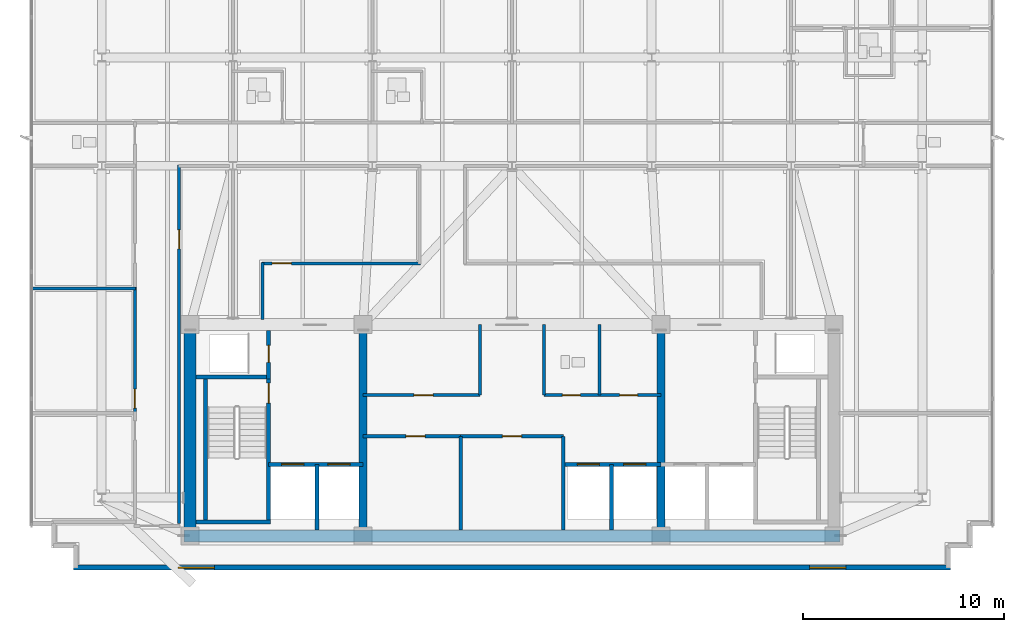
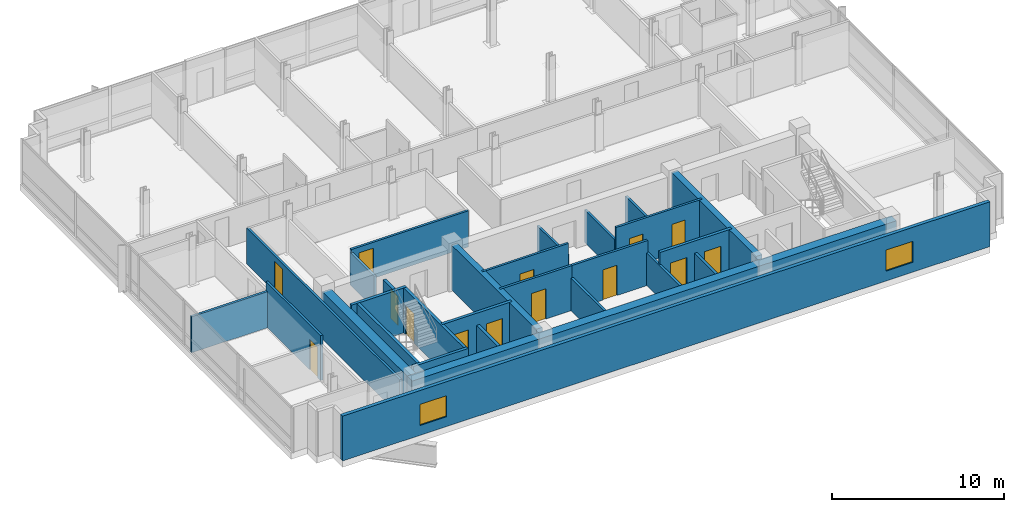
# One storey, part 8 of 16: 28 walls, 14 doors, 2 windows, 16 openings.
"""IFC4 building model written with IfcOpenShell, lengths in metres."""

from ifc_helpers import new_model, si_unit, direction, frame, frame_2d, origin, place, context, subcontext, project, spatial, rectangle, extrude, material, layer, layer_set, type_object, element, fill, save


model = new_model("IFC4")

# Units and contexts
model_context = context("Model", 3, precision=1e-05, world=origin(), true_north=direction((0.0, 1.0)))
body_context = subcontext(model_context, "Body", "Model", "MODEL_VIEW")
ifc_project = project(units=[si_unit("LENGTHUNIT", "METRE"), si_unit("AREAUNIT", "SQUARE_METRE"), si_unit("VOLUMEUNIT", "CUBIC_METRE"), si_unit("PLANEANGLEUNIT", "RADIAN"), si_unit("MASSUNIT", "GRAM", prefix="KILO")], contexts=[model_context])

# Site, building, storey
site_placement = place(None, origin())
site = spatial("IfcSite", under=ifc_project, at=site_placement, CompositionType="ELEMENT")
building_placement = place(site_placement, origin())
building = spatial("IfcBuilding", under=site, at=building_placement, Name="Solmavex Isthmus Hotel", CompositionType="ELEMENT")
storey_placement = place(building_placement, frame((0.0, 0.0, 245.39990234375)))
storey = spatial("IfcBuildingStorey", under=building, at=storey_placement, Name="L66", CompositionType="ELEMENT", Elevation=245.39990234375)

# Wall, openings, windows
ifc_material_1 = material(Name="Precast Concrete C40/50", Category="concrete")
ifc_layer_1 = layer(ifc_material_1, 0.25)
ifc_layer_set_1 = layer_set([ifc_layer_1], Name="Precast Concrete C40/50")
wall_type_1 = type_object("IfcWallType", Name="EW-TWR-250", PredefinedType="STANDARD", material=ifc_layer_set_1)
wall_1_placement = place(storey_placement, frame((-21.800048828125, -14.580078125, 0.0), z_axis=(0.0, 0.0, 1.0), x_axis=(1.0, 0.0, 0.0)))
wall_1 = element("IfcWall", 1, at=wall_1_placement, inside=storey, type_object=wall_type_1, Name="Tower Rear South Facade Wall L66", PredefinedType="STANDARD", context=body_context, shape_type="SweptSolid", body=[
    extrude(rectangle(XDim=43.60009765625, YDim=0.239990234375, at=frame_2d((21.800048828125, 0.0))), origin(), (0.0, 0.0, 1.0), 3.190185546875),
])
opening_1_placement = place(wall_1_placement, frame((5.2041015625, 0.0, 0.699951171875)))
opening_1 = element("IfcOpeningElement", 2, at=opening_1_placement, cuts=wall_1, Name="Opening WN-02", PredefinedType="OPENING", context=body_context, shape_type="SweptSolid", body=[
    extrude(rectangle(XDim=1.800048828125, YDim=1.5, at=frame_2d((0.89990234375, 0.75))), frame((0.0, 0.1298828125, 0.0), z_axis=(0.0, -1.0, 0.0), x_axis=(1.0, 0.0, 0.0)), (0.0, 0.0, 1.0), 0.260009765625),
])
opening_2_placement = place(wall_1_placement, frame((36.595947265625, 0.0, 0.699951171875)))
opening_2 = element("IfcOpeningElement", 3, at=opening_2_placement, cuts=wall_1, Name="Opening WN-02", PredefinedType="OPENING", context=body_context, shape_type="SweptSolid", body=[
    extrude(rectangle(XDim=1.800048828125, YDim=1.5, at=frame_2d((0.89990234375, 0.75))), frame((0.0, 0.1298828125, 0.0), z_axis=(0.0, -1.0, 0.0), x_axis=(1.0, 0.0, 0.0)), (0.0, 0.0, 1.0), 0.260009765625),
])
ifc_material_2 = material(Name="Clear low-E laminated glass", Category="glass")
window_type = type_object("IfcWindowType", Name="WIN-TWR-1800", PartitioningType="SINGLE_PANEL", PredefinedType="WINDOW", material=ifc_material_2)
window_1_placement = place(opening_1_placement, origin())
window_1 = element("IfcWindow", 4, at=window_1_placement, inside=storey, type_object=window_type, Name="South Facade Vision Window L66-S1", OverallHeight=1.5, OverallWidth=1.800048828125, PartitioningType="SINGLE_PANEL", PredefinedType="WINDOW", context=body_context, shape_type="SweptSolid", body=[
    extrude(rectangle(XDim=1.800048828125, YDim=1.5, at=frame_2d((0.89990234375, 0.75))), frame((0.0, 0.030029296875, 0.0), z_axis=(0.0, -1.0, 0.0), x_axis=(1.0, 0.0, 0.0)), (0.0, 0.0, 1.0), 0.06005859375),
])
fill(opening_1, window_1)
window_2_placement = place(opening_2_placement, origin())
window_2 = element("IfcWindow", 5, at=window_2_placement, inside=storey, type_object=window_type, Name="South Facade Vision Window L66-S2", OverallHeight=1.5, OverallWidth=1.800048828125, PartitioningType="SINGLE_PANEL", PredefinedType="WINDOW", context=body_context, shape_type="SweptSolid", body=[
    extrude(rectangle(XDim=1.800048828125, YDim=1.5, at=frame_2d((0.89990234375, 0.75))), frame((0.0, 0.030029296875, 0.0), z_axis=(0.0, -1.0, 0.0), x_axis=(1.0, 0.0, 0.0)), (0.0, 0.0, 1.0), 0.06005859375),
])
fill(opening_2, window_2)

# Wall, opening, door
ifc_material_3 = material(Name="Gypsum plasterboard lining", Category="gypsum")
ifc_layer_2 = layer(ifc_material_3, 0.159912109375)
ifc_layer_set_2 = layer_set([ifc_layer_2], Name="Gypsum plasterboard lining")
wall_type_2 = type_object("IfcWallType", Name="IW-COMP-160", PredefinedType="PARTITIONING", material=ifc_layer_set_2)
wall_2_placement = place(storey_placement, frame((-7.39990234375, -8.050048828125, 0.0), z_axis=(0.0, 0.0, 1.0), x_axis=(1.0, 0.0, 0.0)))
wall_2 = element("IfcWall", 6, at=wall_2_placement, inside=storey, type_object=wall_type_2, Name="Interior Partition Wall W-L66-REC-PLL-N", PredefinedType="PARTITIONING", context=body_context, shape_type="SweptSolid", body=[
    extrude(rectangle(XDim=4.849853515625, YDim=0.159912109375, at=frame_2d((2.4248046875, 0.0))), origin(), (0.0, 0.0, 1.0), 3.190185546875),
])
opening_3_placement = place(wall_2_placement, frame((2.125, 0.0, 0.0)))
opening_3 = element("IfcOpeningElement", 7, at=opening_3_placement, cuts=wall_2, Name="Opening ID-C095", PredefinedType="OPENING", context=body_context, shape_type="SweptSolid", body=[
    extrude(rectangle(XDim=0.949951171875, YDim=2.14990234375, at=frame_2d((0.47509765625, 1.074951171875))), frame((0.0, 0.08984375, 0.0), z_axis=(0.0, -1.0, 0.0), x_axis=(1.0, 0.0, 0.0)), (0.0, 0.0, 1.0), 0.179931640625),
])
ifc_material_4 = material(Name="Hardwood timber", Category="wood")
door_type_1 = type_object("IfcDoorType", Name="IDR-FD60-0950", OperationType="NOTDEFINED", PredefinedType="DOOR", material=ifc_material_4)
door_1_placement = place(opening_3_placement, origin())
door_1 = element("IfcDoor", 8, at=door_1_placement, inside=storey, type_object=door_type_1, Name="Linen Reserve Door L66", OperationType="SINGLE_SWING_LEFT", OverallHeight=2.14990234375, OverallWidth=0.949951171875, PredefinedType="DOOR", context=body_context, shape_type="SweptSolid", body=[
    extrude(rectangle(XDim=0.949951171875, YDim=2.14990234375, at=frame_2d((0.47509765625, 1.074951171875))), frame((0.0, 0.02490234375, 0.0), z_axis=(0.0, -1.0, 0.0), x_axis=(1.0, 0.0, 0.0)), (0.0, 0.0, 1.0), 0.050048828125),
])
fill(opening_3, door_1)

# Wall
wall_3_placement = place(storey_placement, frame((-2.550048828125, -12.699951171875, 0.0), z_axis=(0.0, 0.0, 1.0), x_axis=(0.0, 1.0, 0.0)))
element("IfcWall", 9, at=wall_3_placement, inside=storey, type_object=wall_type_2, Name="Interior Partition Wall W-L66-REC-PLL-E", PredefinedType="PARTITIONING", context=body_context, shape_type="SweptSolid", body=[
    extrude(rectangle(XDim=4.64990234375, YDim=0.159912109375, at=frame_2d((2.324951171875, 0.0))), origin(), (0.0, 0.0, 1.0), 2.3251953125),
])

# Wall, opening, door
wall_4_placement = place(storey_placement, frame((-2.550048828125, -8.050048828125, 0.0), z_axis=(0.0, 0.0, 1.0), x_axis=(1.0, 0.0, 0.0)))
wall_4 = element("IfcWall", 10, at=wall_4_placement, inside=storey, type_object=wall_type_2, Name="Interior Partition Wall W-L66-REC-PLM-N", PredefinedType="PARTITIONING", context=body_context, shape_type="SweptSolid", body=[
    extrude(rectangle(XDim=5.10009765625, YDim=0.159912109375, at=frame_2d((2.550048828125, 0.0))), origin(), (0.0, 0.0, 1.0), 3.190185546875),
])
opening_4_placement = place(wall_4_placement, frame((2.074951171875, 0.0, 0.0)))
opening_4 = element("IfcOpeningElement", 11, at=opening_4_placement, cuts=wall_4, Name="Opening ID-C095", PredefinedType="OPENING", context=body_context, shape_type="SweptSolid", body=[
    extrude(rectangle(XDim=0.949951171875, YDim=2.14990234375, at=frame_2d((0.47509765625, 1.074951171875))), frame((0.0, 0.08984375, 0.0), z_axis=(0.0, -1.0, 0.0), x_axis=(1.0, 0.0, 0.0)), (0.0, 0.0, 1.0), 0.179931640625),
])
door_2_placement = place(opening_4_placement, origin())
door_2 = element("IfcDoor", 12, at=door_2_placement, inside=storey, type_object=door_type_1, Name="Butler Store Door L66", OperationType="SINGLE_SWING_RIGHT", OverallHeight=2.14990234375, OverallWidth=0.949951171875, PredefinedType="DOOR", context=body_context, shape_type="SweptSolid", body=[
    extrude(rectangle(XDim=0.949951171875, YDim=2.14990234375, at=frame_2d((0.47509765625, 1.074951171875))), frame((0.0, 0.02490234375, 0.0), z_axis=(0.0, -1.0, 0.0), x_axis=(1.0, 0.0, 0.0)), (0.0, 0.0, 1.0), 0.050048828125),
])
fill(opening_4, door_2)

# Walls
wall_5_placement = place(storey_placement, frame((2.550048828125, -12.699951171875, 0.0), z_axis=(0.0, 0.0, 1.0), x_axis=(0.0, 1.0, 0.0)))
element("IfcWall", 13, at=wall_5_placement, inside=storey, type_object=wall_type_2, Name="Interior Partition Wall W-L66-REC-PLM-E", PredefinedType="PARTITIONING", context=body_context, shape_type="SweptSolid", body=[
    extrude(rectangle(XDim=4.64990234375, YDim=0.159912109375, at=frame_2d((2.324951171875, 0.0))), origin(), (0.0, 0.0, 1.0), 2.3251953125),
])
wall_6_placement = place(storey_placement, frame((-18.7099609375, -0.699951171875, 0.0), z_axis=(0.0, 0.0, 1.0), x_axis=(-1.0, 0.0, 0.0)))
element("IfcWall", 14, at=wall_6_placement, inside=storey, type_object=wall_type_2, Name="Interior Partition Wall W-L66-P064", PredefinedType="PARTITIONING", context=body_context, shape_type="SweptSolid", body=[
    extrude(rectangle(XDim=5.2099609375, YDim=0.159912109375, at=frame_2d((2.60498046875, 0.0))), origin(), (0.0, 0.0, 1.0), 2.5576171875),
])

# Wall, opening, door
ifc_layer_3 = layer(ifc_material_3, 0.14990234375)
ifc_layer_set_3 = layer_set([ifc_layer_3], Name="Gypsum plasterboard lining")
wall_type_3 = type_object("IfcWallType", Name="IW-CORR-150", PredefinedType="PARTITIONING", material=ifc_layer_set_3)
wall_7_placement = place(storey_placement, frame((-7.39990234375, -6.0, 0.0), z_axis=(0.0, 0.0, 1.0), x_axis=(1.0, 0.0, 0.0)))
wall_7 = element("IfcWall", 15, at=wall_7_placement, inside=storey, type_object=wall_type_3, Name="Interior Partition Wall W-L66-BOH-WS", PredefinedType="PARTITIONING", context=body_context, shape_type="SweptSolid", body=[
    extrude(rectangle(XDim=5.7998046875, YDim=0.14990234375, at=frame_2d((2.89990234375, 0.0))), origin(), (0.0, 0.0, 1.0), 3.190185546875),
])
opening_5_placement = place(wall_7_placement, frame((2.52490234375, 0.0, 0.0)))
opening_5 = element("IfcOpeningElement", 16, at=opening_5_placement, cuts=wall_7, Name="Opening ID-C095", PredefinedType="OPENING", context=body_context, shape_type="SweptSolid", body=[
    extrude(rectangle(XDim=0.949951171875, YDim=2.14990234375, at=frame_2d((0.47509765625, 1.074951171875))), frame((0.0, 0.0849609375, 0.0), z_axis=(0.0, -1.0, 0.0), x_axis=(1.0, 0.0, 0.0)), (0.0, 0.0, 1.0), 0.169921875),
])
door_3_placement = place(opening_5_placement, frame((0.949951171875, 0.0, 0.0), z_axis=(0.0, 0.0, 1.0), x_axis=(-1.0, 0.0, 0.0)))
door_3 = element("IfcDoor", 17, at=door_3_placement, inside=storey, type_object=door_type_1, Name="Housekeeping Room Door L66", OperationType="SINGLE_SWING_LEFT", OverallHeight=2.14990234375, OverallWidth=0.949951171875, PredefinedType="DOOR", context=body_context, shape_type="SweptSolid", body=[
    extrude(rectangle(XDim=0.949951171875, YDim=2.14990234375, at=frame_2d((0.47509765625, 1.074951171875))), frame((0.0, 0.02490234375, 0.0), z_axis=(0.0, -1.0, 0.0), x_axis=(1.0, 0.0, 0.0)), (0.0, 0.0, 1.0), 0.050048828125),
])
fill(opening_5, door_3)

# Wall
wall_8_placement = place(storey_placement, frame((-1.60009765625, -6.0, 0.0), z_axis=(0.0, 0.0, 1.0), x_axis=(0.0, 1.0, 0.0)))
element("IfcWall", 18, at=wall_8_placement, inside=storey, type_object=wall_type_3, Name="Interior Partition Wall W-L66-BOH-WE", PredefinedType="PARTITIONING", context=body_context, shape_type="SweptSolid", body=[
    extrude(rectangle(XDim=3.5, YDim=0.14990234375, at=frame_2d((1.75, 0.0))), origin(), (0.0, 0.0, 1.0), 2.3251953125),
])

# Wall, openings, doors
wall_9_placement = place(storey_placement, frame((1.60009765625, -6.0, 0.0), z_axis=(0.0, 0.0, 1.0), x_axis=(1.0, 0.0, 0.0)))
wall_9 = element("IfcWall", 19, at=wall_9_placement, inside=storey, type_object=wall_type_3, Name="Interior Partition Wall W-L66-BOH-ES", PredefinedType="PARTITIONING", context=body_context, shape_type="SweptSolid", body=[
    extrude(rectangle(XDim=5.7998046875, YDim=0.14990234375, at=frame_2d((2.89990234375, 0.0))), origin(), (0.0, 0.0, 1.0), 3.190185546875),
])
opening_6_placement = place(wall_9_placement, frame((0.89990234375, 0.0, 0.0)))
opening_6 = element("IfcOpeningElement", 20, at=opening_6_placement, cuts=wall_9, Name="Opening ID-C090", PredefinedType="OPENING", context=body_context, shape_type="SweptSolid", body=[
    extrude(rectangle(XDim=0.89990234375, YDim=2.10009765625, at=frame_2d((0.449951171875, 1.050048828125))), frame((0.0, 0.0849609375, 0.0), z_axis=(0.0, -1.0, 0.0), x_axis=(1.0, 0.0, 0.0)), (0.0, 0.0, 1.0), 0.169921875),
])
opening_7_placement = place(wall_9_placement, frame((3.75, 0.0, 0.0)))
opening_7 = element("IfcOpeningElement", 21, at=opening_7_placement, cuts=wall_9, Name="Opening ID-C090", PredefinedType="OPENING", context=body_context, shape_type="SweptSolid", body=[
    extrude(rectangle(XDim=0.89990234375, YDim=2.10009765625, at=frame_2d((0.449951171875, 1.050048828125))), frame((0.0, 0.0849609375, 0.0), z_axis=(0.0, -1.0, 0.0), x_axis=(1.0, 0.0, 0.0)), (0.0, 0.0, 1.0), 0.169921875),
])
door_type_2 = type_object("IfcDoorType", Name="IDR-FD60-0900", OperationType="NOTDEFINED", PredefinedType="DOOR", material=ifc_material_4)
door_4_placement = place(opening_6_placement, frame((0.89990234375, 0.0, 0.0), z_axis=(0.0, 0.0, 1.0), x_axis=(-1.0, 0.0, 0.0)))
door_4 = element("IfcDoor", 22, at=door_4_placement, inside=storey, type_object=door_type_2, Name="Staff WC Door L66", OperationType="SINGLE_SWING_RIGHT", OverallHeight=2.10009765625, OverallWidth=0.89990234375, PredefinedType="DOOR", context=body_context, shape_type="SweptSolid", body=[
    extrude(rectangle(XDim=0.89990234375, YDim=2.10009765625, at=frame_2d((0.449951171875, 1.050048828125))), frame((0.0, 0.02490234375, 0.0), z_axis=(0.0, -1.0, 0.0), x_axis=(1.0, 0.0, 0.0)), (0.0, 0.0, 1.0), 0.050048828125),
])
fill(opening_6, door_4)
door_5_placement = place(opening_7_placement, frame((0.89990234375, 0.0, 0.0), z_axis=(0.0, 0.0, 1.0), x_axis=(-1.0, 0.0, 0.0)))
door_5 = element("IfcDoor", 23, at=door_5_placement, inside=storey, type_object=door_type_2, Name="Pantry Door L66", OperationType="SINGLE_SWING_LEFT", OverallHeight=2.10009765625, OverallWidth=0.89990234375, PredefinedType="DOOR", context=body_context, shape_type="SweptSolid", body=[
    extrude(rectangle(XDim=0.89990234375, YDim=2.10009765625, at=frame_2d((0.449951171875, 1.050048828125))), frame((0.0, 0.02490234375, 0.0), z_axis=(0.0, -1.0, 0.0), x_axis=(1.0, 0.0, 0.0)), (0.0, 0.0, 1.0), 0.050048828125),
])
fill(opening_7, door_5)

# Wall
wall_10_placement = place(storey_placement, frame((1.60009765625, -6.0, 0.0), z_axis=(0.0, 0.0, 1.0), x_axis=(0.0, 1.0, 0.0)))
element("IfcWall", 24, at=wall_10_placement, inside=storey, type_object=wall_type_3, Name="Interior Partition Wall W-L66-BOH-EW", PredefinedType="PARTITIONING", context=body_context, shape_type="SweptSolid", body=[
    extrude(rectangle(XDim=3.5, YDim=0.14990234375, at=frame_2d((1.75, 0.0))), origin(), (0.0, 0.0, 1.0), 2.3251953125),
])

# Wall, opening, door
wall_11_placement = place(storey_placement, frame((-16.550048828125, 5.43994140625, 0.0), z_axis=(0.0, 0.0, 1.0), x_axis=(0.0, -1.0, 0.0)))
wall_11 = element("IfcWall", 25, at=wall_11_placement, inside=storey, type_object=wall_type_3, Name="Interior Partition Wall W-L66-P011", PredefinedType="PARTITIONING", context=body_context, shape_type="SweptSolid", body=[
    extrude(rectangle(XDim=17.822021484375, YDim=0.14990234375, at=frame_2d((8.9111328125, 0.0))), origin(), (0.0, 0.0, 1.0), 2.5576171875),
])
opening_8_placement = place(wall_11_placement, frame((3.219970703125, 0.0, 0.0)))
opening_8 = element("IfcOpeningElement", 26, at=opening_8_placement, cuts=wall_11, Name="Opening ID-C095", PredefinedType="OPENING", context=body_context, shape_type="SweptSolid", body=[
    extrude(rectangle(XDim=0.949951171875, YDim=2.14990234375, at=frame_2d((0.47509765625, 1.074951171875))), frame((0.0, 0.0849609375, 0.0), z_axis=(0.0, -1.0, 0.0), x_axis=(1.0, 0.0, 0.0)), (0.0, 0.0, 1.0), 0.169921875),
])
door_6_placement = place(opening_8_placement, frame((0.949951171875, 0.0, 0.0), z_axis=(0.0, 0.0, 1.0), x_axis=(-1.0, 0.0, 0.0)))
door_6 = element("IfcDoor", 27, at=door_6_placement, inside=storey, type_object=door_type_1, Name="Pantry Kitchen Door L66-13", OperationType="SINGLE_SWING_LEFT", OverallHeight=2.14990234375, OverallWidth=0.949951171875, PredefinedType="DOOR", context=body_context, shape_type="SweptSolid", body=[
    extrude(rectangle(XDim=0.949951171875, YDim=2.14990234375, at=frame_2d((0.47509765625, 1.074951171875))), frame((0.0, 0.02490234375, 0.0), z_axis=(0.0, -1.0, 0.0), x_axis=(1.0, 0.0, 0.0)), (0.0, 0.0, 1.0), 0.050048828125),
])
fill(opening_8, door_6)

wall_12_placement = place(storey_placement, frame((-18.75, -6.98193359375, 0.0), z_axis=(0.0, 0.0, 1.0), x_axis=(0.0, 1.0, 0.0)))
wall_12 = element("IfcWall", 28, at=wall_12_placement, inside=storey, type_object=wall_type_3, Name="Interior Partition Wall W-L66-P014", PredefinedType="PARTITIONING", context=body_context, shape_type="SweptSolid", body=[
    extrude(rectangle(XDim=6.364013671875, YDim=0.14990234375, at=frame_2d((3.18212890625, 0.0))), origin(), (0.0, 0.0, 1.0), 3.190185546875),
])
opening_9_placement = place(wall_12_placement, frame((0.33154296875, 0.0, 0.0)))
opening_9 = element("IfcOpeningElement", 29, at=opening_9_placement, cuts=wall_12, Name="Opening ID-C095", PredefinedType="OPENING", context=body_context, shape_type="SweptSolid", body=[
    extrude(rectangle(XDim=0.949951171875, YDim=2.14990234375, at=frame_2d((0.47509765625, 1.074951171875))), frame((0.0, 0.0849609375, 0.0), z_axis=(0.0, -1.0, 0.0), x_axis=(1.0, 0.0, 0.0)), (0.0, 0.0, 1.0), 0.169921875),
])
door_7_placement = place(opening_9_placement, origin())
door_7 = element("IfcDoor", 30, at=door_7_placement, inside=storey, type_object=door_type_1, Name="Executive Meeting Room Door L66-16", OperationType="SINGLE_SWING_RIGHT", OverallHeight=2.14990234375, OverallWidth=0.949951171875, PredefinedType="DOOR", context=body_context, shape_type="SweptSolid", body=[
    extrude(rectangle(XDim=0.949951171875, YDim=2.14990234375, at=frame_2d((0.47509765625, 1.074951171875))), frame((0.0, 0.02490234375, 0.0), z_axis=(0.0, -1.0, 0.0), x_axis=(1.0, 0.0, 0.0)), (0.0, 0.0, 1.0), 0.050048828125),
])
fill(opening_9, door_7)

# Wall
wall_13_placement = place(storey_placement, frame((-12.39990234375, -2.239990234375, 0.0), z_axis=(0.0, 0.0, 1.0), x_axis=(0.0, 1.0, 0.0)))
element("IfcWall", 31, at=wall_13_placement, inside=storey, type_object=wall_type_3, Name="Interior Partition Wall W-L66-P015", PredefinedType="PARTITIONING", context=body_context, shape_type="SweptSolid", body=[
    extrude(rectangle(XDim=2.830078125, YDim=0.14990234375, at=frame_2d((1.4150390625, 0.0))), origin(), (0.0, 0.0, 1.0), 2.3251953125),
])

# Wall, opening, door
wall_14_placement = place(storey_placement, frame((-12.43994140625, 0.550048828125, 0.0), z_axis=(0.0, 0.0, 1.0), x_axis=(1.0, 0.0, 0.0)))
wall_14 = element("IfcWall", 32, at=wall_14_placement, inside=storey, type_object=wall_type_3, Name="Interior Partition Wall W-L66-P016", PredefinedType="PARTITIONING", context=body_context, shape_type="SweptSolid", body=[
    extrude(rectangle(XDim=7.891845703125, YDim=0.14990234375, at=frame_2d((3.94580078125, 0.0))), origin(), (0.0, 0.0, 1.0), 2.572509765625),
])
opening_10_placement = place(wall_14_placement, frame((0.51806640625, 0.0, 0.0)))
opening_10 = element("IfcOpeningElement", 33, at=opening_10_placement, cuts=wall_14, Name="Opening ID-C095", PredefinedType="OPENING", context=body_context, shape_type="SweptSolid", body=[
    extrude(rectangle(XDim=0.949951171875, YDim=2.14990234375, at=frame_2d((0.47509765625, 1.074951171875))), frame((0.0, 0.0849609375, 0.0), z_axis=(0.0, -1.0, 0.0), x_axis=(1.0, 0.0, 0.0)), (0.0, 0.0, 1.0), 0.169921875),
])
door_8_placement = place(opening_10_placement, origin())
door_8 = element("IfcDoor", 34, at=door_8_placement, inside=storey, type_object=door_type_1, Name="Catering Servery Kitchen Door L66-17", OperationType="SINGLE_SWING_LEFT", OverallHeight=2.14990234375, OverallWidth=0.949951171875, PredefinedType="DOOR", context=body_context, shape_type="SweptSolid", body=[
    extrude(rectangle(XDim=0.949951171875, YDim=2.14990234375, at=frame_2d((0.47509765625, 1.074951171875))), frame((0.0, 0.02490234375, 0.0), z_axis=(0.0, -1.0, 0.0), x_axis=(1.0, 0.0, 0.0)), (0.0, 0.0, 1.0), 0.050048828125),
])
fill(opening_10, door_8)

# Walls
ifc_layer_4 = layer(ifc_material_3, 0.1201171875)
ifc_layer_set_4 = layer_set([ifc_layer_4], Name="Gypsum plasterboard lining")
wall_type_4 = type_object("IfcWallType", Name="IW-PART-120", PredefinedType="PARTITIONING", material=ifc_layer_set_4)
wall_15_placement = place(storey_placement, frame((4.35009765625, -6.0, 0.0), z_axis=(0.0, 0.0, 1.0), x_axis=(0.0, 1.0, 0.0)))
element("IfcWall", 35, at=wall_15_placement, inside=storey, type_object=wall_type_4, Name="Interior Partition Wall W-L66-BOH-EM0", PredefinedType="PARTITIONING", context=body_context, shape_type="SweptSolid", body=[
    extrude(rectangle(XDim=3.5, YDim=0.14990234375, at=frame_2d((1.75, 0.0))), origin(), (0.0, 0.0, 1.0), 2.3251953125),
])
ifc_material_5 = material(Name="Concrete C40/50", Category="concrete")
ifc_layer_5 = layer(ifc_material_5, 0.179931640625)
ifc_layer_set_5 = layer_set([ifc_layer_5], Name="Concrete C40/50")
wall_type_5 = type_object("IfcWallType", Name="IW-SHAFT-180", PredefinedType="PARTITIONING", material=ifc_layer_set_5)
wall_16_placement = place(storey_placement, frame((4.949951171875, -12.699951171875, 0.0), z_axis=(0.0, 0.0, 1.0), x_axis=(0.0, 1.0, 0.0)))
element("IfcWall", 36, at=wall_16_placement, inside=storey, type_object=wall_type_5, Name="Interior Partition Wall W-L66-SH-PLH-M", PredefinedType="PARTITIONING", context=body_context, shape_type="SweptSolid", body=[
    extrude(rectangle(XDim=3.25, YDim=0.179931640625, at=frame_2d((1.625, 0.0))), origin(), (0.0, 0.0, 1.0), 2.3251953125),
])

# Wall, opening, door
ifc_layer_6 = layer(ifc_material_5, 0.199951171875)
ifc_layer_set_6 = layer_set([ifc_layer_6], Name="Concrete C40/50")
wall_type_6 = type_object("IfcWallType", Name="IW-SHAFT-200", PredefinedType="PARTITIONING", material=ifc_layer_set_6)
wall_17_placement = place(storey_placement, frame((-12.10009765625, -5.199951171875, 0.0), z_axis=(0.0, 0.0, 1.0), x_axis=(0.0, 1.0, 0.0)))
wall_17 = element("IfcWall", 37, at=wall_17_placement, inside=storey, type_object=wall_type_6, Name="Interior Partition Wall W-L66-RSW-E", PredefinedType="PARTITIONING", context=body_context, shape_type="SweptSolid", body=[
    extrude(rectangle(XDim=2.39990234375, YDim=0.199951171875, at=frame_2d((1.199951171875, 0.0))), origin(), (0.0, 0.0, 1.0), 2.3251953125),
])
opening_11_placement = place(wall_17_placement, frame((0.824951171875, 0.0, 0.0)))
opening_11 = element("IfcOpeningElement", 38, at=opening_11_placement, cuts=wall_17, Name="Opening ID-R085", PredefinedType="OPENING", context=body_context, shape_type="SweptSolid", body=[
    extrude(rectangle(XDim=0.85009765625, YDim=2.050048828125, at=frame_2d((0.425048828125, 1.02490234375))), frame((0.0, 0.10986328125, 0.0), z_axis=(0.0, -1.0, 0.0), x_axis=(1.0, 0.0, 0.0)), (0.0, 0.0, 1.0), 0.219970703125),
])
ifc_material_6 = material(Name="Steel ASTM A500 Grade C", Category="steel")
door_type_3 = type_object("IfcDoorType", Name="IDR-FD60-0850", OperationType="NOTDEFINED", PredefinedType="DOOR", material=ifc_material_6)
door_9_placement = place(opening_11_placement, origin())
door_9 = element("IfcDoor", 39, at=door_9_placement, inside=storey, type_object=door_type_3, Name="Electrical Riser Door L66", OperationType="SINGLE_SWING_RIGHT", OverallHeight=2.050048828125, OverallWidth=0.85009765625, PredefinedType="DOOR", context=body_context, shape_type="SweptSolid", body=[
    extrude(rectangle(XDim=0.85009765625, YDim=2.050048828125, at=frame_2d((0.425048828125, 1.02490234375))), frame((0.0, 0.02490234375, 0.0), z_axis=(0.0, -1.0, 0.0), x_axis=(1.0, 0.0, 0.0)), (0.0, 0.0, 1.0), 0.050048828125),
])
fill(opening_11, door_9)

# Wall, openings, doors
wall_18_placement = place(storey_placement, frame((-12.10009765625, -9.449951171875, 0.0), z_axis=(0.0, 0.0, 1.0), x_axis=(1.0, 0.0, 0.0)))
wall_18 = element("IfcWall", 40, at=wall_18_placement, inside=storey, type_object=wall_type_6, Name="Interior Partition Wall W-L66-FFLW-S", PredefinedType="PARTITIONING", context=body_context, shape_type="SweptSolid", body=[
    extrude(rectangle(XDim=4.7001953125, YDim=0.199951171875, at=frame_2d((2.35009765625, 0.0))), origin(), (0.0, 0.0, 1.0), 3.190185546875),
])
opening_12_placement = place(wall_18_placement, frame((0.64990234375, 0.0, 0.0)))
opening_12 = element("IfcOpeningElement", 41, at=opening_12_placement, cuts=wall_18, Name="Opening LD-FF", PredefinedType="OPENING", context=body_context, shape_type="SweptSolid", body=[
    extrude(rectangle(XDim=1.10009765625, YDim=2.199951171875, at=frame_2d((0.550048828125, 1.10009765625))), frame((0.0, 0.10986328125, 0.0), z_axis=(0.0, -1.0, 0.0), x_axis=(1.0, 0.0, 0.0)), (0.0, 0.0, 1.0), 0.219970703125),
])
opening_13_placement = place(wall_18_placement, frame((2.949951171875, 0.0, 0.0)))
opening_13 = element("IfcOpeningElement", 42, at=opening_13_placement, cuts=wall_18, Name="Opening LD-SV", PredefinedType="OPENING", context=body_context, shape_type="SweptSolid", body=[
    extrude(rectangle(XDim=1.10009765625, YDim=2.199951171875, at=frame_2d((0.550048828125, 1.10009765625))), frame((0.0, 0.10986328125, 0.0), z_axis=(0.0, -1.0, 0.0), x_axis=(1.0, 0.0, 0.0)), (0.0, 0.0, 1.0), 0.219970703125),
])
ifc_material_7 = material(Name="Stainless steel 316", Category="steel")
door_type_4 = type_object("IfcDoorType", Name="LDR-FF-1100", OperationType="NOTDEFINED", PredefinedType="DOOR", material=ifc_material_7)
door_10_placement = place(opening_12_placement, origin())
door_10 = element("IfcDoor", 43, at=door_10_placement, inside=storey, type_object=door_type_4, Name="Lift Landing Door FFL-1 L66", OperationType="SLIDING_TO_LEFT", OverallHeight=2.199951171875, OverallWidth=1.10009765625, PredefinedType="DOOR", context=body_context, shape_type="SweptSolid", body=[
    extrude(rectangle(XDim=1.10009765625, YDim=2.199951171875, at=frame_2d((0.550048828125, 1.10009765625))), frame((0.0, 0.02490234375, 0.0), z_axis=(0.0, -1.0, 0.0), x_axis=(1.0, 0.0, 0.0)), (0.0, 0.0, 1.0), 0.050048828125),
])
fill(opening_12, door_10)
door_type_5 = type_object("IfcDoorType", Name="LDR-SV-1100", OperationType="NOTDEFINED", PredefinedType="DOOR", material=ifc_material_7)
door_11_placement = place(opening_13_placement, origin())
door_11 = element("IfcDoor", 44, at=door_11_placement, inside=storey, type_object=door_type_5, Name="Lift Landing Door SVL-1 L66", OperationType="SLIDING_TO_RIGHT", OverallHeight=2.199951171875, OverallWidth=1.10009765625, PredefinedType="DOOR", context=body_context, shape_type="SweptSolid", body=[
    extrude(rectangle(XDim=1.10009765625, YDim=2.199951171875, at=frame_2d((0.550048828125, 1.10009765625))), frame((0.0, 0.02490234375, 0.0), z_axis=(0.0, -1.0, 0.0), x_axis=(1.0, 0.0, 0.0)), (0.0, 0.0, 1.0), 0.050048828125),
])
fill(opening_13, door_11)

# Wall
wall_19_placement = place(storey_placement, frame((-9.699951171875, -12.699951171875, 0.0), z_axis=(0.0, 0.0, 1.0), x_axis=(0.0, 1.0, 0.0)))
element("IfcWall", 45, at=wall_19_placement, inside=storey, type_object=wall_type_6, Name="Interior Partition Wall W-L66-FFLW-M", PredefinedType="PARTITIONING", context=body_context, shape_type="SweptSolid", body=[
    extrude(rectangle(XDim=3.25, YDim=0.199951171875, at=frame_2d((1.625, 0.0))), origin(), (0.0, 0.0, 1.0), 2.3251953125),
])

# Wall, openings, doors
wall_20_placement = place(storey_placement, frame((2.550048828125, -9.449951171875, 0.0), z_axis=(0.0, 0.0, 1.0), x_axis=(1.0, 0.0, 0.0)))
wall_20 = element("IfcWall", 46, at=wall_20_placement, inside=storey, type_object=wall_type_6, Name="Interior Partition Wall W-L66-SH-PLH", PredefinedType="PARTITIONING", context=body_context, shape_type="SweptSolid", body=[
    extrude(rectangle(XDim=4.849853515625, YDim=0.199951171875, at=frame_2d((2.4248046875, 0.0))), origin(), (0.0, 0.0, 1.0), 3.190185546875),
])
opening_14_placement = place(wall_20_placement, frame((0.699951171875, 0.0, 0.0)))
opening_14 = element("IfcOpeningElement", 47, at=opening_14_placement, cuts=wall_20, Name="Opening LD-PL", PredefinedType="OPENING", context=body_context, shape_type="SweptSolid", body=[
    extrude(rectangle(XDim=1.10009765625, YDim=2.199951171875, at=frame_2d((0.550048828125, 1.10009765625))), frame((0.0, 0.10986328125, 0.0), z_axis=(0.0, -1.0, 0.0), x_axis=(1.0, 0.0, 0.0)), (0.0, 0.0, 1.0), 0.219970703125),
])
opening_15_placement = place(wall_20_placement, frame((3.0, 0.0, 0.0)))
opening_15 = element("IfcOpeningElement", 48, at=opening_15_placement, cuts=wall_20, Name="Opening LD-PL", PredefinedType="OPENING", context=body_context, shape_type="SweptSolid", body=[
    extrude(rectangle(XDim=1.10009765625, YDim=2.199951171875, at=frame_2d((0.550048828125, 1.10009765625))), frame((0.0, 0.10986328125, 0.0), z_axis=(0.0, -1.0, 0.0), x_axis=(1.0, 0.0, 0.0)), (0.0, 0.0, 1.0), 0.219970703125),
])
door_type_6 = type_object("IfcDoorType", Name="LDR-PL-1100", OperationType="NOTDEFINED", PredefinedType="DOOR", material=ifc_material_7)
door_12_placement = place(opening_14_placement, origin())
door_12 = element("IfcDoor", 49, at=door_12_placement, inside=storey, type_object=door_type_6, Name="Lift Landing Door PLH1 L66", OperationType="SLIDING_TO_LEFT", OverallHeight=2.199951171875, OverallWidth=1.10009765625, PredefinedType="DOOR", context=body_context, shape_type="SweptSolid", body=[
    extrude(rectangle(XDim=1.10009765625, YDim=2.199951171875, at=frame_2d((0.550048828125, 1.10009765625))), frame((0.0, 0.02490234375, 0.0), z_axis=(0.0, -1.0, 0.0), x_axis=(1.0, 0.0, 0.0)), (0.0, 0.0, 1.0), 0.050048828125),
])
fill(opening_14, door_12)
door_13_placement = place(opening_15_placement, origin())
door_13 = element("IfcDoor", 50, at=door_13_placement, inside=storey, type_object=door_type_6, Name="Lift Landing Door PLH2 L66", OperationType="SLIDING_TO_LEFT", OverallHeight=2.199951171875, OverallWidth=1.10009765625, PredefinedType="DOOR", context=body_context, shape_type="SweptSolid", body=[
    extrude(rectangle(XDim=1.10009765625, YDim=2.199951171875, at=frame_2d((0.550048828125, 1.10009765625))), frame((0.0, 0.02490234375, 0.0), z_axis=(0.0, -1.0, 0.0), x_axis=(1.0, 0.0, 0.0)), (0.0, 0.0, 1.0), 0.050048828125),
])
fill(opening_15, door_13)

# Walls
ifc_material_8 = material(Name="Concrete C50/60", Category="concrete")
ifc_layer_7 = layer(ifc_material_8, 0.39990234375)
ifc_layer_set_7 = layer_set([ifc_layer_7], Name="Concrete C50/60")
wall_type_7 = type_object("IfcWallType", Name="WALL-CW-400H", PredefinedType="SHEAR", material=ifc_layer_set_7)
for number, where, z_axis, x_axis, name in (
    (51, (-7.39990234375, -12.699951171875, 0.0), (0.0, 0.0, 1.0), (0.0, 1.0, 0.0), "Core Cross Shear Wall C1 L66"),
    (52, (7.39990234375, -12.699951171875, 0.0), (0.0, 0.0, 1.0), (0.0, 1.0, 0.0), "Core Cross Shear Wall C2 L66"),
):
    element("IfcWall", number, at=place(storey_placement, frame(where, z_axis=z_axis, x_axis=x_axis)), inside=storey, type_object=wall_type_7, Name=name, PredefinedType="SHEAR", context=body_context, shape_type="SweptSolid", body=[
        extrude(rectangle(XDim=9.89990234375, YDim=0.39990234375, at=frame_2d((4.949951171875, 0.0))), origin(), (0.0, 0.0, 1.0), 3.190185546875),
    ])
ifc_layer_8 = layer(ifc_material_8, 0.60009765625)
ifc_layer_set_8 = layer_set([ifc_layer_8], Name="Concrete C50/60")
wall_type_8 = type_object("IfcWallType", Name="WALL-CW-600", PredefinedType="SHEAR", material=ifc_layer_set_8)
wall_21_placement = place(storey_placement, frame((-16.300048828125, -13.0, 0.0), z_axis=(0.0, 0.0, 1.0), x_axis=(1.0, 0.0, 0.0)))
element("IfcWall", 53, at=wall_21_placement, inside=storey, type_object=wall_type_8, Name="Core Shear Wall South L66", PredefinedType="SHEAR", context=body_context, shape_type="SweptSolid", body=[
    extrude(rectangle(XDim=32.60009765625, YDim=0.60009765625, at=frame_2d((16.300048828125, 0.0))), origin(), (0.0, 0.0, 1.0), 2.91015625),
])
wall_22_placement = place(storey_placement, frame((-16.0, -12.699951171875, 0.0), z_axis=(0.0, 0.0, 1.0), x_axis=(0.0, 1.0, 0.0)))
element("IfcWall", 54, at=wall_22_placement, inside=storey, type_object=wall_type_8, Name="Core Shear Wall West L66", PredefinedType="SHEAR", context=body_context, shape_type="SweptSolid", body=[
    extrude(rectangle(XDim=9.89990234375, YDim=0.60009765625, at=frame_2d((4.949951171875, 0.0))), origin(), (0.0, 0.0, 1.0), 2.91015625),
])
ifc_layer_9 = layer(ifc_material_5, 0.199951171875)
ifc_layer_set_9 = layer_set([ifc_layer_9], Name="Concrete C40/50")
wall_type_9 = type_object("IfcWallType", Name="WALL-SW-200", PredefinedType="SOLIDWALL", material=ifc_layer_set_9)
for number, where, z_axis, x_axis, name in (
    (55, (-15.699951171875, -12.300048828125, 0.0), (0.0, 0.0, 1.0), (1.0, 0.0, 0.0), "Stairwell Structural Wall SW-L66-ST1-S"),
    (56, (-15.699951171875, -5.10009765625, 0.0), (0.0, 0.0, 1.0), (1.0, 0.0, 0.0), "Stairwell Structural Wall SW-L66-ST1-N"),
):
    element("IfcWall", number, at=place(storey_placement, frame(where, z_axis=z_axis, x_axis=x_axis)), inside=storey, type_object=wall_type_9, Name=name, PredefinedType="SOLIDWALL", context=body_context, shape_type="SweptSolid", body=[
        extrude(rectangle(XDim=3.699951171875, YDim=0.199951171875, at=frame_2d((1.85009765625, 0.0))), origin(), (0.0, 0.0, 1.0), 3.190185546875),
    ])
wall_23_placement = place(storey_placement, frame((-15.25, -12.199951171875, 0.0), z_axis=(0.0, 0.0, 1.0), x_axis=(0.0, 1.0, 0.0)))
element("IfcWall", 57, at=wall_23_placement, inside=storey, type_object=wall_type_9, Name="Stairwell Structural Wall SW-L66-ST1-W", PredefinedType="SOLIDWALL", context=body_context, shape_type="SweptSolid", body=[
    extrude(rectangle(XDim=7.0, YDim=0.199951171875, at=frame_2d((3.5, 0.0))), origin(), (0.0, 0.0, 1.0), 3.190185546875),
])

# Wall, opening, door
wall_24_placement = place(storey_placement, frame((-12.10009765625, -12.199951171875, 0.0), z_axis=(0.0, 0.0, 1.0), x_axis=(0.0, 1.0, 0.0)))
wall_24 = element("IfcWall", 58, at=wall_24_placement, inside=storey, type_object=wall_type_9, Name="Stairwell Structural Wall SW-L66-ST1-E", PredefinedType="SOLIDWALL", context=body_context, shape_type="SweptSolid", body=[
    extrude(rectangle(XDim=7.0, YDim=0.199951171875, at=frame_2d((3.5, 0.0))), origin(), (0.0, 0.0, 1.0), 3.190185546875),
])
opening_16_placement = place(wall_24_placement, frame((5.800048828125, 0.0, 0.0)))
opening_16 = element("IfcOpeningElement", 59, at=opening_16_placement, cuts=wall_24, Name="Opening ID-F100", PredefinedType="OPENING", context=body_context, shape_type="SweptSolid", body=[
    extrude(rectangle(XDim=1.0, YDim=2.10009765625, at=frame_2d((0.5, 1.050048828125))), frame((0.0, 0.10986328125, 0.0), z_axis=(0.0, -1.0, 0.0), x_axis=(1.0, 0.0, 0.0)), (0.0, 0.0, 1.0), 0.219970703125),
])
door_type_7 = type_object("IfcDoorType", Name="IDR-FD90-1000", OperationType="NOTDEFINED", PredefinedType="DOOR", material=ifc_material_6)
door_14_placement = place(opening_16_placement, frame((1.0, 0.0, 0.0), z_axis=(0.0, 0.0, 1.0), x_axis=(-1.0, 0.0, 0.0)))
door_14 = element("IfcDoor", 60, at=door_14_placement, inside=storey, type_object=door_type_7, Name="Stair ST-1 Fire Door L66", OperationType="SINGLE_SWING_LEFT", OverallHeight=2.10009765625, OverallWidth=1.0, PredefinedType="DOOR", context=body_context, shape_type="SweptSolid", body=[
    extrude(rectangle(XDim=1.0, YDim=2.10009765625, at=frame_2d((0.5, 1.050048828125))), frame((0.0, 0.02490234375, 0.0), z_axis=(0.0, -1.0, 0.0), x_axis=(1.0, 0.0, 0.0)), (0.0, 0.0, 1.0), 0.050048828125),
])
fill(opening_16, door_14)

save(model, "model.ifc")
